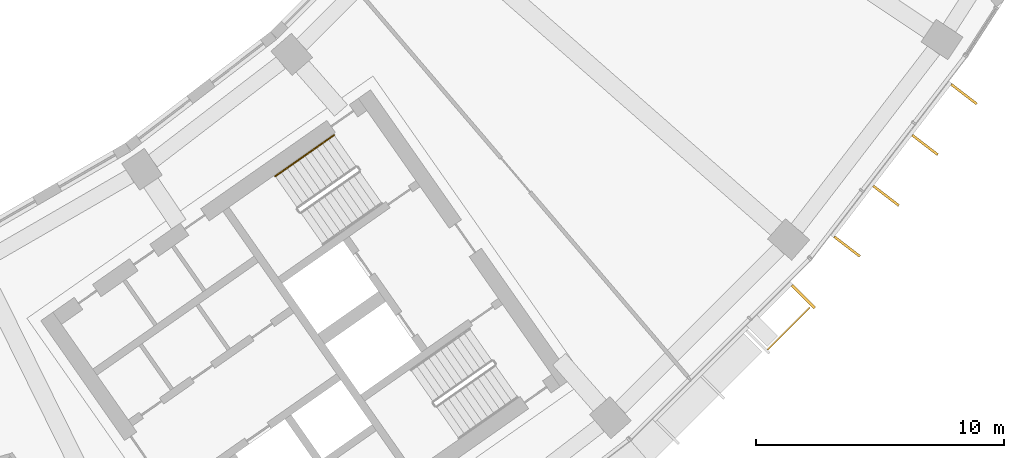
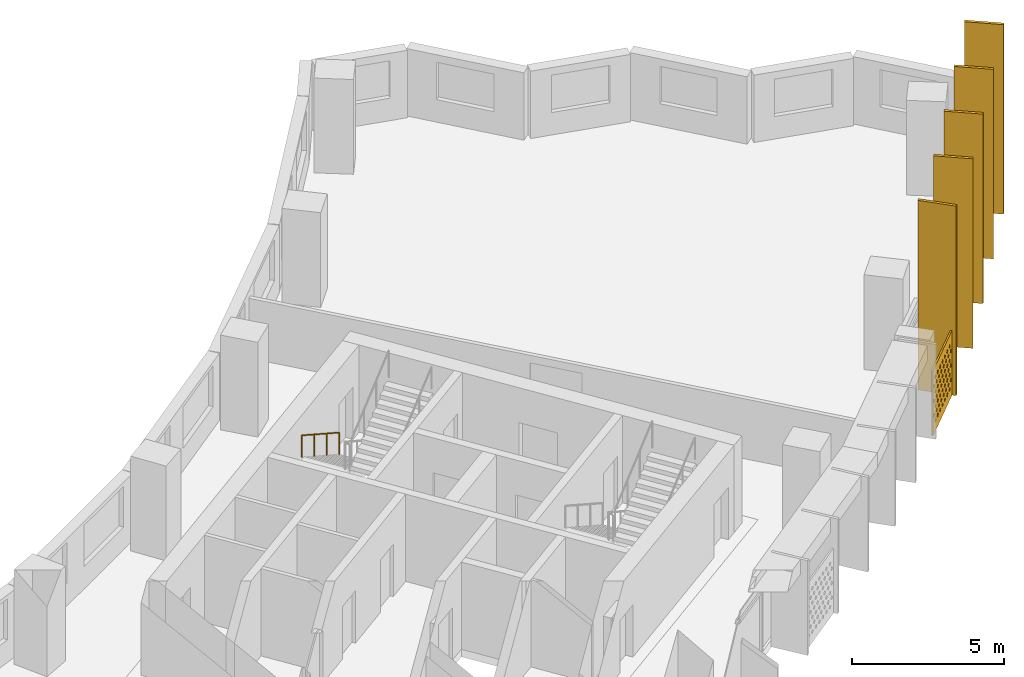
# One storey, part 27 of 27: 6 shading devices, 1 railing.
"""IFC4 building model written with IfcOpenShell, lengths in metres."""

from ifc_helpers import new_model, si_unit, direction, frame, origin, origin_2d, place, context, subcontext, project, spatial, polyline, rectangle, circle, outline, extrude, material, material_profile, profile_set, type_object, element, save


model = new_model("IFC4")

# Units and contexts
model_context = context("Model", 3, precision=1e-05, world=origin(), true_north=direction((0.0, 1.0)))
body_context = subcontext(model_context, "Body", "Model", "MODEL_VIEW")
ifc_project = project(units=[si_unit("LENGTHUNIT", "METRE"), si_unit("AREAUNIT", "SQUARE_METRE"), si_unit("VOLUMEUNIT", "CUBIC_METRE"), si_unit("PLANEANGLEUNIT", "RADIAN"), si_unit("MASSUNIT", "GRAM", prefix="KILO")], contexts=[model_context])

# Site, building, storey
site_placement = place(None, origin())
site = spatial("IfcSite", under=ifc_project, at=site_placement, CompositionType="ELEMENT")
building_placement = place(site_placement, origin())
building = spatial("IfcBuilding", under=site, at=building_placement, Name="Qamariyya Broadcast Tower", CompositionType="ELEMENT")
storey_placement = place(building_placement, frame((0.0, 0.0, 172.10009765625)))
storey = spatial("IfcBuildingStorey", under=building, at=storey_placement, Name="L40", CompositionType="ELEMENT", Elevation=172.10009765625)

# Shading device
ifc_material_1 = material(Name="Perforated glazed terracotta", Category="masonry")
ifc_material_profile_1 = material_profile(ifc_material_1, outline(polyline([(-1.199951171875, -1.300048828125), (1.199951171875, -1.300048828125), (1.199951171875, 1.300048828125), (-1.199951171875, 1.300048828125), (-1.199951171875, -1.300048828125)]), holes=[polyline([(-0.81494140625, -0.86669921875), (-0.89990234375, -0.78173828125), (-0.985107421875, -0.86669921875), (-0.89990234375, -0.95166015625), (-0.81494140625, -0.86669921875)]), polyline([(-0.514892578125, -0.86669921875), (-0.60009765625, -0.78173828125), (-0.68505859375, -0.86669921875), (-0.60009765625, -0.95166015625), (-0.514892578125, -0.86669921875)]), polyline([(-0.215087890625, -0.86669921875), (-0.300048828125, -0.78173828125), (-0.385009765625, -0.86669921875), (-0.300048828125, -0.95166015625), (-0.215087890625, -0.86669921875)]), polyline([(0.0849609375, -0.86669921875), (0.0, -0.78173828125), (-0.0849609375, -0.86669921875), (0.0, -0.95166015625), (0.0849609375, -0.86669921875)]), polyline([(0.385009765625, -0.86669921875), (0.300048828125, -0.78173828125), (0.215087890625, -0.86669921875), (0.300048828125, -0.95166015625), (0.385009765625, -0.86669921875)]), polyline([(0.68505859375, -0.86669921875), (0.60009765625, -0.78173828125), (0.514892578125, -0.86669921875), (0.60009765625, -0.95166015625), (0.68505859375, -0.86669921875)]), polyline([(0.985107421875, -0.86669921875), (0.89990234375, -0.78173828125), (0.81494140625, -0.86669921875), (0.89990234375, -0.95166015625), (0.985107421875, -0.86669921875)]), polyline([(-0.965087890625, -0.577880859375), (-1.050048828125, -0.49267578125), (-1.135009765625, -0.577880859375), (-1.050048828125, -0.662841796875), (-0.965087890625, -0.577880859375)]), polyline([(-0.6650390625, -0.577880859375), (-0.75, -0.49267578125), (-0.8349609375, -0.577880859375), (-0.75, -0.662841796875), (-0.6650390625, -0.577880859375)]), polyline([(-0.364990234375, -0.577880859375), (-0.449951171875, -0.49267578125), (-0.534912109375, -0.577880859375), (-0.449951171875, -0.662841796875), (-0.364990234375, -0.577880859375)]), polyline([(-0.06494140625, -0.577880859375), (-0.14990234375, -0.49267578125), (-0.235107421875, -0.577880859375), (-0.14990234375, -0.662841796875), (-0.06494140625, -0.577880859375)]), polyline([(0.235107421875, -0.577880859375), (0.14990234375, -0.49267578125), (0.06494140625, -0.577880859375), (0.14990234375, -0.662841796875), (0.235107421875, -0.577880859375)]), polyline([(0.534912109375, -0.577880859375), (0.449951171875, -0.49267578125), (0.364990234375, -0.577880859375), (0.449951171875, -0.662841796875), (0.534912109375, -0.577880859375)]), polyline([(0.8349609375, -0.577880859375), (0.75, -0.49267578125), (0.6650390625, -0.577880859375), (0.75, -0.662841796875), (0.8349609375, -0.577880859375)]), polyline([(1.135009765625, -0.577880859375), (1.050048828125, -0.49267578125), (0.965087890625, -0.577880859375), (1.050048828125, -0.662841796875), (1.135009765625, -0.577880859375)]), polyline([(-0.81494140625, -0.288818359375), (-0.89990234375, -0.203857421875), (-0.985107421875, -0.288818359375), (-0.89990234375, -0.373779296875), (-0.81494140625, -0.288818359375)]), polyline([(-0.514892578125, -0.288818359375), (-0.60009765625, -0.203857421875), (-0.68505859375, -0.288818359375), (-0.60009765625, -0.373779296875), (-0.514892578125, -0.288818359375)]), polyline([(-0.215087890625, -0.288818359375), (-0.300048828125, -0.203857421875), (-0.385009765625, -0.288818359375), (-0.300048828125, -0.373779296875), (-0.215087890625, -0.288818359375)]), polyline([(0.0849609375, -0.288818359375), (0.0, -0.203857421875), (-0.0849609375, -0.288818359375), (0.0, -0.373779296875), (0.0849609375, -0.288818359375)]), polyline([(0.385009765625, -0.288818359375), (0.300048828125, -0.203857421875), (0.215087890625, -0.288818359375), (0.300048828125, -0.373779296875), (0.385009765625, -0.288818359375)]), polyline([(0.68505859375, -0.288818359375), (0.60009765625, -0.203857421875), (0.514892578125, -0.288818359375), (0.60009765625, -0.373779296875), (0.68505859375, -0.288818359375)]), polyline([(0.985107421875, -0.288818359375), (0.89990234375, -0.203857421875), (0.81494140625, -0.288818359375), (0.89990234375, -0.373779296875), (0.985107421875, -0.288818359375)]), polyline([(-0.965087890625, 0.0), (-1.050048828125, 0.0849609375), (-1.135009765625, 0.0), (-1.050048828125, -0.0849609375), (-0.965087890625, 0.0)]), polyline([(-0.6650390625, 0.0), (-0.75, 0.0849609375), (-0.8349609375, 0.0), (-0.75, -0.0849609375), (-0.6650390625, 0.0)]), polyline([(-0.364990234375, 0.0), (-0.449951171875, 0.0849609375), (-0.534912109375, 0.0), (-0.449951171875, -0.0849609375), (-0.364990234375, 0.0)]), polyline([(-0.06494140625, 0.0), (-0.14990234375, 0.0849609375), (-0.235107421875, 0.0), (-0.14990234375, -0.0849609375), (-0.06494140625, 0.0)]), polyline([(0.235107421875, 0.0), (0.14990234375, 0.0849609375), (0.06494140625, 0.0), (0.14990234375, -0.0849609375), (0.235107421875, 0.0)]), polyline([(0.534912109375, 0.0), (0.449951171875, 0.0849609375), (0.364990234375, 0.0), (0.449951171875, -0.0849609375), (0.534912109375, 0.0)]), polyline([(0.8349609375, 0.0), (0.75, 0.0849609375), (0.6650390625, 0.0), (0.75, -0.0849609375), (0.8349609375, 0.0)]), polyline([(1.135009765625, 0.0), (1.050048828125, 0.0849609375), (0.965087890625, 0.0), (1.050048828125, -0.0849609375), (1.135009765625, 0.0)]), polyline([(-0.81494140625, 0.288818359375), (-0.89990234375, 0.373779296875), (-0.985107421875, 0.288818359375), (-0.89990234375, 0.203857421875), (-0.81494140625, 0.288818359375)]), polyline([(-0.514892578125, 0.288818359375), (-0.60009765625, 0.373779296875), (-0.68505859375, 0.288818359375), (-0.60009765625, 0.203857421875), (-0.514892578125, 0.288818359375)]), polyline([(-0.215087890625, 0.288818359375), (-0.300048828125, 0.373779296875), (-0.385009765625, 0.288818359375), (-0.300048828125, 0.203857421875), (-0.215087890625, 0.288818359375)]), polyline([(0.0849609375, 0.288818359375), (0.0, 0.373779296875), (-0.0849609375, 0.288818359375), (0.0, 0.203857421875), (0.0849609375, 0.288818359375)]), polyline([(0.385009765625, 0.288818359375), (0.300048828125, 0.373779296875), (0.215087890625, 0.288818359375), (0.300048828125, 0.203857421875), (0.385009765625, 0.288818359375)]), polyline([(0.68505859375, 0.288818359375), (0.60009765625, 0.373779296875), (0.514892578125, 0.288818359375), (0.60009765625, 0.203857421875), (0.68505859375, 0.288818359375)]), polyline([(0.985107421875, 0.288818359375), (0.89990234375, 0.373779296875), (0.81494140625, 0.288818359375), (0.89990234375, 0.203857421875), (0.985107421875, 0.288818359375)]), polyline([(-0.965087890625, 0.577880859375), (-1.050048828125, 0.662841796875), (-1.135009765625, 0.577880859375), (-1.050048828125, 0.49267578125), (-0.965087890625, 0.577880859375)]), polyline([(-0.6650390625, 0.577880859375), (-0.75, 0.662841796875), (-0.8349609375, 0.577880859375), (-0.75, 0.49267578125), (-0.6650390625, 0.577880859375)]), polyline([(-0.364990234375, 0.577880859375), (-0.449951171875, 0.662841796875), (-0.534912109375, 0.577880859375), (-0.449951171875, 0.49267578125), (-0.364990234375, 0.577880859375)]), polyline([(-0.06494140625, 0.577880859375), (-0.14990234375, 0.662841796875), (-0.235107421875, 0.577880859375), (-0.14990234375, 0.49267578125), (-0.06494140625, 0.577880859375)]), polyline([(0.235107421875, 0.577880859375), (0.14990234375, 0.662841796875), (0.06494140625, 0.577880859375), (0.14990234375, 0.49267578125), (0.235107421875, 0.577880859375)]), polyline([(0.534912109375, 0.577880859375), (0.449951171875, 0.662841796875), (0.364990234375, 0.577880859375), (0.449951171875, 0.49267578125), (0.534912109375, 0.577880859375)]), polyline([(0.8349609375, 0.577880859375), (0.75, 0.662841796875), (0.6650390625, 0.577880859375), (0.75, 0.49267578125), (0.8349609375, 0.577880859375)]), polyline([(1.135009765625, 0.577880859375), (1.050048828125, 0.662841796875), (0.965087890625, 0.577880859375), (1.050048828125, 0.49267578125), (1.135009765625, 0.577880859375)]), polyline([(-0.81494140625, 0.86669921875), (-0.89990234375, 0.95166015625), (-0.985107421875, 0.86669921875), (-0.89990234375, 0.78173828125), (-0.81494140625, 0.86669921875)]), polyline([(-0.514892578125, 0.86669921875), (-0.60009765625, 0.95166015625), (-0.68505859375, 0.86669921875), (-0.60009765625, 0.78173828125), (-0.514892578125, 0.86669921875)]), polyline([(-0.215087890625, 0.86669921875), (-0.300048828125, 0.95166015625), (-0.385009765625, 0.86669921875), (-0.300048828125, 0.78173828125), (-0.215087890625, 0.86669921875)]), polyline([(0.0849609375, 0.86669921875), (0.0, 0.95166015625), (-0.0849609375, 0.86669921875), (0.0, 0.78173828125), (0.0849609375, 0.86669921875)]), polyline([(0.385009765625, 0.86669921875), (0.300048828125, 0.95166015625), (0.215087890625, 0.86669921875), (0.300048828125, 0.78173828125), (0.385009765625, 0.86669921875)]), polyline([(0.68505859375, 0.86669921875), (0.60009765625, 0.95166015625), (0.514892578125, 0.86669921875), (0.60009765625, 0.78173828125), (0.68505859375, 0.86669921875)]), polyline([(0.985107421875, 0.86669921875), (0.89990234375, 0.95166015625), (0.81494140625, 0.86669921875), (0.89990234375, 0.78173828125), (0.985107421875, 0.86669921875)])]))
ifc_profile_set_1 = profile_set([ifc_material_profile_1], Name="Perforated glazed terracotta")
shading_device_type_1 = type_object("IfcShadingDeviceType", Name="Perforated terracotta screen 2400 x 2600", PredefinedType="USERDEFINED", material=ifc_profile_set_1)
shading_device_placement = place(storey_placement, frame((58.43701171875, -54.842529296875, 1.349853515625), z_axis=(0.707106781187, -0.707106781187, 0.0), x_axis=(0.707106781187, 0.707106781187, 0.0)))
element("IfcShadingDevice", 1, at=shading_device_placement, inside=storey, type_object=shading_device_type_1, Name="e-scr-L40-13-2", ObjectType="SCREEN", PredefinedType="USERDEFINED", context=body_context, shape_type="SweptSolid", body=[
    extrude(outline(polyline([(-1.199951171875, -1.300048828125), (1.199951171875, -1.300048828125), (1.199951171875, 1.300048828125), (-1.199951171875, 1.300048828125), (-1.199951171875, -1.300048828125)]), holes=[polyline([(-0.81494140625, -0.86669921875), (-0.89990234375, -0.78173828125), (-0.985107421875, -0.86669921875), (-0.89990234375, -0.95166015625), (-0.81494140625, -0.86669921875)]), polyline([(-0.514892578125, -0.86669921875), (-0.60009765625, -0.78173828125), (-0.68505859375, -0.86669921875), (-0.60009765625, -0.95166015625), (-0.514892578125, -0.86669921875)]), polyline([(-0.215087890625, -0.86669921875), (-0.300048828125, -0.78173828125), (-0.385009765625, -0.86669921875), (-0.300048828125, -0.95166015625), (-0.215087890625, -0.86669921875)]), polyline([(0.0849609375, -0.86669921875), (0.0, -0.78173828125), (-0.0849609375, -0.86669921875), (0.0, -0.95166015625), (0.0849609375, -0.86669921875)]), polyline([(0.385009765625, -0.86669921875), (0.300048828125, -0.78173828125), (0.215087890625, -0.86669921875), (0.300048828125, -0.95166015625), (0.385009765625, -0.86669921875)]), polyline([(0.68505859375, -0.86669921875), (0.60009765625, -0.78173828125), (0.514892578125, -0.86669921875), (0.60009765625, -0.95166015625), (0.68505859375, -0.86669921875)]), polyline([(0.985107421875, -0.86669921875), (0.89990234375, -0.78173828125), (0.81494140625, -0.86669921875), (0.89990234375, -0.95166015625), (0.985107421875, -0.86669921875)]), polyline([(-0.965087890625, -0.577880859375), (-1.050048828125, -0.49267578125), (-1.135009765625, -0.577880859375), (-1.050048828125, -0.662841796875), (-0.965087890625, -0.577880859375)]), polyline([(-0.6650390625, -0.577880859375), (-0.75, -0.49267578125), (-0.8349609375, -0.577880859375), (-0.75, -0.662841796875), (-0.6650390625, -0.577880859375)]), polyline([(-0.364990234375, -0.577880859375), (-0.449951171875, -0.49267578125), (-0.534912109375, -0.577880859375), (-0.449951171875, -0.662841796875), (-0.364990234375, -0.577880859375)]), polyline([(-0.06494140625, -0.577880859375), (-0.14990234375, -0.49267578125), (-0.235107421875, -0.577880859375), (-0.14990234375, -0.662841796875), (-0.06494140625, -0.577880859375)]), polyline([(0.235107421875, -0.577880859375), (0.14990234375, -0.49267578125), (0.06494140625, -0.577880859375), (0.14990234375, -0.662841796875), (0.235107421875, -0.577880859375)]), polyline([(0.534912109375, -0.577880859375), (0.449951171875, -0.49267578125), (0.364990234375, -0.577880859375), (0.449951171875, -0.662841796875), (0.534912109375, -0.577880859375)]), polyline([(0.8349609375, -0.577880859375), (0.75, -0.49267578125), (0.6650390625, -0.577880859375), (0.75, -0.662841796875), (0.8349609375, -0.577880859375)]), polyline([(1.135009765625, -0.577880859375), (1.050048828125, -0.49267578125), (0.965087890625, -0.577880859375), (1.050048828125, -0.662841796875), (1.135009765625, -0.577880859375)]), polyline([(-0.81494140625, -0.288818359375), (-0.89990234375, -0.203857421875), (-0.985107421875, -0.288818359375), (-0.89990234375, -0.373779296875), (-0.81494140625, -0.288818359375)]), polyline([(-0.514892578125, -0.288818359375), (-0.60009765625, -0.203857421875), (-0.68505859375, -0.288818359375), (-0.60009765625, -0.373779296875), (-0.514892578125, -0.288818359375)]), polyline([(-0.215087890625, -0.288818359375), (-0.300048828125, -0.203857421875), (-0.385009765625, -0.288818359375), (-0.300048828125, -0.373779296875), (-0.215087890625, -0.288818359375)]), polyline([(0.0849609375, -0.288818359375), (0.0, -0.203857421875), (-0.0849609375, -0.288818359375), (0.0, -0.373779296875), (0.0849609375, -0.288818359375)]), polyline([(0.385009765625, -0.288818359375), (0.300048828125, -0.203857421875), (0.215087890625, -0.288818359375), (0.300048828125, -0.373779296875), (0.385009765625, -0.288818359375)]), polyline([(0.68505859375, -0.288818359375), (0.60009765625, -0.203857421875), (0.514892578125, -0.288818359375), (0.60009765625, -0.373779296875), (0.68505859375, -0.288818359375)]), polyline([(0.985107421875, -0.288818359375), (0.89990234375, -0.203857421875), (0.81494140625, -0.288818359375), (0.89990234375, -0.373779296875), (0.985107421875, -0.288818359375)]), polyline([(-0.965087890625, 0.0), (-1.050048828125, 0.0849609375), (-1.135009765625, 0.0), (-1.050048828125, -0.0849609375), (-0.965087890625, 0.0)]), polyline([(-0.6650390625, 0.0), (-0.75, 0.0849609375), (-0.8349609375, 0.0), (-0.75, -0.0849609375), (-0.6650390625, 0.0)]), polyline([(-0.364990234375, 0.0), (-0.449951171875, 0.0849609375), (-0.534912109375, 0.0), (-0.449951171875, -0.0849609375), (-0.364990234375, 0.0)]), polyline([(-0.06494140625, 0.0), (-0.14990234375, 0.0849609375), (-0.235107421875, 0.0), (-0.14990234375, -0.0849609375), (-0.06494140625, 0.0)]), polyline([(0.235107421875, 0.0), (0.14990234375, 0.0849609375), (0.06494140625, 0.0), (0.14990234375, -0.0849609375), (0.235107421875, 0.0)]), polyline([(0.534912109375, 0.0), (0.449951171875, 0.0849609375), (0.364990234375, 0.0), (0.449951171875, -0.0849609375), (0.534912109375, 0.0)]), polyline([(0.8349609375, 0.0), (0.75, 0.0849609375), (0.6650390625, 0.0), (0.75, -0.0849609375), (0.8349609375, 0.0)]), polyline([(1.135009765625, 0.0), (1.050048828125, 0.0849609375), (0.965087890625, 0.0), (1.050048828125, -0.0849609375), (1.135009765625, 0.0)]), polyline([(-0.81494140625, 0.288818359375), (-0.89990234375, 0.373779296875), (-0.985107421875, 0.288818359375), (-0.89990234375, 0.203857421875), (-0.81494140625, 0.288818359375)]), polyline([(-0.514892578125, 0.288818359375), (-0.60009765625, 0.373779296875), (-0.68505859375, 0.288818359375), (-0.60009765625, 0.203857421875), (-0.514892578125, 0.288818359375)]), polyline([(-0.215087890625, 0.288818359375), (-0.300048828125, 0.373779296875), (-0.385009765625, 0.288818359375), (-0.300048828125, 0.203857421875), (-0.215087890625, 0.288818359375)]), polyline([(0.0849609375, 0.288818359375), (0.0, 0.373779296875), (-0.0849609375, 0.288818359375), (0.0, 0.203857421875), (0.0849609375, 0.288818359375)]), polyline([(0.385009765625, 0.288818359375), (0.300048828125, 0.373779296875), (0.215087890625, 0.288818359375), (0.300048828125, 0.203857421875), (0.385009765625, 0.288818359375)]), polyline([(0.68505859375, 0.288818359375), (0.60009765625, 0.373779296875), (0.514892578125, 0.288818359375), (0.60009765625, 0.203857421875), (0.68505859375, 0.288818359375)]), polyline([(0.985107421875, 0.288818359375), (0.89990234375, 0.373779296875), (0.81494140625, 0.288818359375), (0.89990234375, 0.203857421875), (0.985107421875, 0.288818359375)]), polyline([(-0.965087890625, 0.577880859375), (-1.050048828125, 0.662841796875), (-1.135009765625, 0.577880859375), (-1.050048828125, 0.49267578125), (-0.965087890625, 0.577880859375)]), polyline([(-0.6650390625, 0.577880859375), (-0.75, 0.662841796875), (-0.8349609375, 0.577880859375), (-0.75, 0.49267578125), (-0.6650390625, 0.577880859375)]), polyline([(-0.364990234375, 0.577880859375), (-0.449951171875, 0.662841796875), (-0.534912109375, 0.577880859375), (-0.449951171875, 0.49267578125), (-0.364990234375, 0.577880859375)]), polyline([(-0.06494140625, 0.577880859375), (-0.14990234375, 0.662841796875), (-0.235107421875, 0.577880859375), (-0.14990234375, 0.49267578125), (-0.06494140625, 0.577880859375)]), polyline([(0.235107421875, 0.577880859375), (0.14990234375, 0.662841796875), (0.06494140625, 0.577880859375), (0.14990234375, 0.49267578125), (0.235107421875, 0.577880859375)]), polyline([(0.534912109375, 0.577880859375), (0.449951171875, 0.662841796875), (0.364990234375, 0.577880859375), (0.449951171875, 0.49267578125), (0.534912109375, 0.577880859375)]), polyline([(0.8349609375, 0.577880859375), (0.75, 0.662841796875), (0.6650390625, 0.577880859375), (0.75, 0.49267578125), (0.8349609375, 0.577880859375)]), polyline([(1.135009765625, 0.577880859375), (1.050048828125, 0.662841796875), (0.965087890625, 0.577880859375), (1.050048828125, 0.49267578125), (1.135009765625, 0.577880859375)]), polyline([(-0.81494140625, 0.86669921875), (-0.89990234375, 0.95166015625), (-0.985107421875, 0.86669921875), (-0.89990234375, 0.78173828125), (-0.81494140625, 0.86669921875)]), polyline([(-0.514892578125, 0.86669921875), (-0.60009765625, 0.95166015625), (-0.68505859375, 0.86669921875), (-0.60009765625, 0.78173828125), (-0.514892578125, 0.86669921875)]), polyline([(-0.215087890625, 0.86669921875), (-0.300048828125, 0.95166015625), (-0.385009765625, 0.86669921875), (-0.300048828125, 0.78173828125), (-0.215087890625, 0.86669921875)]), polyline([(0.0849609375, 0.86669921875), (0.0, 0.95166015625), (-0.0849609375, 0.86669921875), (0.0, 0.78173828125), (0.0849609375, 0.86669921875)]), polyline([(0.385009765625, 0.86669921875), (0.300048828125, 0.95166015625), (0.215087890625, 0.86669921875), (0.300048828125, 0.78173828125), (0.385009765625, 0.86669921875)]), polyline([(0.68505859375, 0.86669921875), (0.60009765625, 0.95166015625), (0.514892578125, 0.86669921875), (0.60009765625, 0.78173828125), (0.68505859375, 0.86669921875)]), polyline([(0.985107421875, 0.86669921875), (0.89990234375, 0.95166015625), (0.81494140625, 0.86669921875), (0.89990234375, 0.78173828125), (0.985107421875, 0.86669921875)])]), origin(), (0.0, 0.0, 1.0), 0.06005859375),
])

# Railing
ifc_material_2 = material(Name="Stainless steel", Category="steel")
railing_type = type_object("IfcRailingType", Name="Stair handrail", PredefinedType="HANDRAIL", material=ifc_material_2)
railing_placement = place(storey_placement, frame((40.1142578125, -47.05029296875, 0.172607421875)))
element("IfcRailing", 2, at=railing_placement, inside=storey, type_object=railing_type, Name="L40 ST-E2 stair handrail 1", PredefinedType="HANDRAIL", context=body_context, shape_type="SweptSolid", body=[
    extrude(circle(Radius=0.02392578125, at=origin_2d()), frame((0.0, 0.0, 0.8759765625), z_axis=(-0.703745009021, -0.492838488332, 0.511715923826), x_axis=(0.573631830683, -0.819113253969, 0.0)), (0.0, 0.0, 1.0), 3.37548828125),
    extrude(circle(Radius=0.02099609375, at=origin_2d()), origin(), (0.0, 0.0, 1.0), 0.851806640625),
    extrude(circle(Radius=0.02099609375, at=origin_2d()), frame((-0.791748046875, -0.554443359375, 0.57568359375)), (0.0, 0.0, 1.0), 0.851806640625),
    extrude(circle(Radius=0.02099609375, at=origin_2d()), frame((-1.583740234375, -1.109130859375, 1.151611328125)), (0.0, 0.0, 1.0), 0.851806640625),
    extrude(circle(Radius=0.02099609375, at=origin_2d()), frame((-2.37548828125, -1.66357421875, 1.727294921875)), (0.0, 0.0, 1.0), 0.851806640625),
])

# Shading devices
ifc_material_3 = material(Name="Glazed terracotta", Category="masonry")
ifc_material_profile_2 = material_profile(ifc_material_3, rectangle(XDim=1.300048828125, YDim=0.10009765625, at=origin_2d()))
ifc_profile_set_2 = profile_set([ifc_material_profile_2], Name="Glazed terracotta")
shading_device_type_2 = type_object("IfcShadingDeviceType", Name="Terracotta fin 100 x 1300", PredefinedType="USERDEFINED", material=ifc_profile_set_2)
for number, where, z_axis, x_axis, name in (
    (3, (59.047607421875, -53.5673828125, 0.0), (0.0, 0.0, 1.0), (0.707106781187, -0.707106781187, 0.0), "e-fin-L40-13-3"),
    (4, (60.81640625, -51.550537109375, 0.0), (0.0, 0.0, 1.0), (0.793353340291, -0.608761429009, 0.0), "e-fin-L40-14-0"),
    (5, (62.38916015625, -49.5009765625, 0.0), (0.0, 0.0, 1.0), (0.793353340291, -0.608761429009, 0.0), "e-fin-L40-14-1"),
    (6, (63.961669921875, -47.451416015625, 0.0), (0.0, 0.0, 1.0), (0.793353340291, -0.608761429009, 0.0), "e-fin-L40-14-2"),
    (7, (65.534423828125, -45.40185546875, 0.0), (0.0, 0.0, 1.0), (0.793353340291, -0.608761429009, 0.0), "e-fin-L40-14-3"),
):
    element("IfcShadingDevice", number, at=place(storey_placement, frame(where, z_axis=z_axis, x_axis=x_axis)), inside=storey, type_object=shading_device_type_2, Name=name, ObjectType="FIN", PredefinedType="USERDEFINED", context=body_context, shape_type="SweptSolid", body=[
        extrude(rectangle(XDim=1.300048828125, YDim=0.10009765625, at=origin_2d()), origin(), (0.0, 0.0, 1.0), 7.599853515625),
    ])

save(model, "model.ifc")
